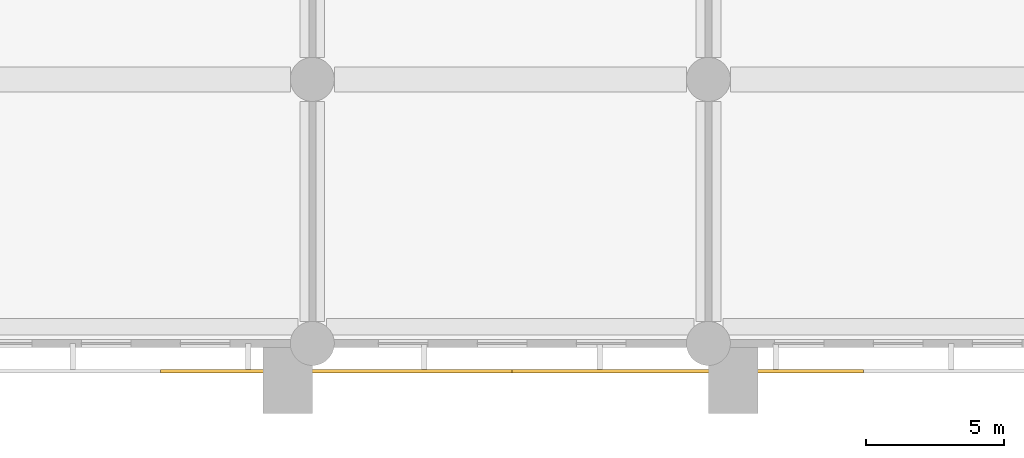
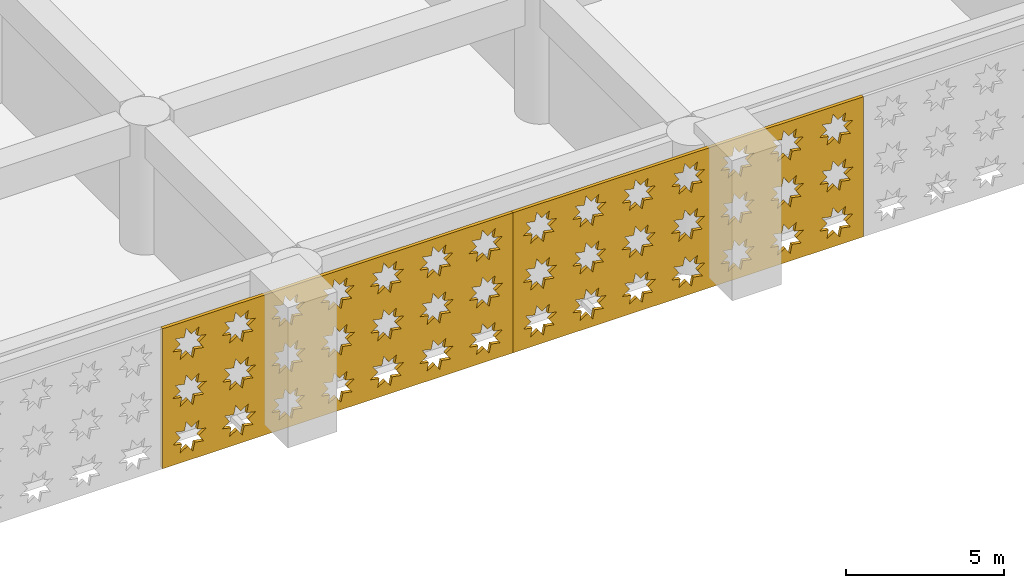
# One storey, part 16 of 30: 2 coverings.
"""IFC4 building model written with IfcOpenShell, lengths in metres."""

from ifc_helpers import new_model, si_unit, direction, frame, origin, place, context, subcontext, project, spatial, polyline, outline, extrude, material, layer, layer_set, type_object, element, save


model = new_model("IFC4")

# Units and contexts
model_context = context("Model", 3, precision=1e-05, world=origin(), true_north=direction((0.0, 1.0)))
body_context = subcontext(model_context, "Body", "Model", "MODEL_VIEW")
ifc_project = project(units=[si_unit("LENGTHUNIT", "METRE"), si_unit("AREAUNIT", "SQUARE_METRE"), si_unit("VOLUMEUNIT", "CUBIC_METRE"), si_unit("PLANEANGLEUNIT", "RADIAN"), si_unit("MASSUNIT", "GRAM", prefix="KILO")], contexts=[model_context])

# Site, building, storey
site_placement = place(None, origin())
site = spatial("IfcSite", under=ifc_project, at=site_placement, CompositionType="ELEMENT")
building_placement = place(site_placement, origin())
building = spatial("IfcBuilding", under=site, at=building_placement, Name="Saffron Iwan Residences", CompositionType="ELEMENT")
storey_placement = place(building_placement, frame((0.0, 0.0, 7.800048828125)))
storey = spatial("IfcBuildingStorey", under=building, at=storey_placement, Name="L01", CompositionType="ELEMENT", Elevation=7.800048828125)

# Coverings
ifc_material = material(Name="Terracotta screen, precast concrete C40/50", Category="masonry")
ifc_layer = layer(ifc_material, 0.1201171875)
ifc_layer_set = layer_set([ifc_layer], Name="Terracotta screen, precast concrete C40/50")
covering_type = type_object("IfcCoveringType", Name="PODIUM SCREEN GIRIH", PredefinedType="CLADDING", material=ifc_layer_set)
covering_1_placement = place(storey_placement, frame((37.6826171875, -0.949951171875, -0.400146484375), z_axis=(0.0, -1.0, 0.0), x_axis=(1.0, 0.0, 0.0)))
element("IfcCovering", 1, at=covering_1_placement, inside=storey, type_object=covering_type, Name="SCREEN girih terracotta L01 F0.3", PredefinedType="CLADDING", context=body_context, shape_type="SweptSolid", body=[
    extrude(outline(polyline([(0.0, 0.0), (12.777587890625, 0.0), (12.777587890625, 5.39990234375), (0.0, 5.39990234375), (0.0, 0.0)]), holes=[polyline([(1.5966796875, 1.02099609375), (1.271484375, 1.0888671875), (1.333251953125, 1.41552734375), (1.05517578125, 1.2333984375), (0.867919921875, 1.508056640625), (0.7998046875, 1.1826171875), (0.47314453125, 1.244384765625), (0.6552734375, 0.96630859375), (0.380615234375, 0.779052734375), (0.7060546875, 0.711181640625), (0.644287109375, 0.384521484375), (0.92236328125, 0.56640625), (1.109619140625, 0.2919921875), (1.177490234375, 0.6171875), (1.50439453125, 0.555419921875), (1.322265625, 0.833740234375), (1.5966796875, 1.02099609375)]), polyline([(1.5966796875, 2.821044921875), (1.271484375, 2.888916015625), (1.333251953125, 3.215576171875), (1.05517578125, 3.033447265625), (0.867919921875, 3.30810546875), (0.7998046875, 2.982666015625), (0.47314453125, 3.04443359375), (0.6552734375, 2.766357421875), (0.380615234375, 2.5791015625), (0.7060546875, 2.510986328125), (0.644287109375, 2.1845703125), (0.92236328125, 2.366455078125), (1.109619140625, 2.091796875), (1.177490234375, 2.417236328125), (1.50439453125, 2.35546875), (1.322265625, 2.6337890625), (1.5966796875, 2.821044921875)]), polyline([(1.5966796875, 4.62109375), (1.271484375, 4.68896484375), (1.333251953125, 5.015380859375), (1.05517578125, 4.83349609375), (0.867919921875, 5.108154296875), (0.7998046875, 4.78271484375), (0.47314453125, 4.844482421875), (0.6552734375, 4.56640625), (0.380615234375, 4.37890625), (0.7060546875, 4.31103515625), (0.644287109375, 3.984619140625), (0.92236328125, 4.16650390625), (1.109619140625, 3.891845703125), (1.177490234375, 4.21728515625), (1.50439453125, 4.155517578125), (1.322265625, 4.43359375), (1.5966796875, 4.62109375)]), polyline([(3.396728515625, 1.02099609375), (3.0712890625, 1.0888671875), (3.13330078125, 1.41552734375), (2.85498046875, 1.2333984375), (2.667724609375, 1.508056640625), (2.599853515625, 1.1826171875), (2.273193359375, 1.244384765625), (2.455322265625, 0.96630859375), (2.1806640625, 0.779052734375), (2.506103515625, 0.711181640625), (2.4443359375, 0.384521484375), (2.722412109375, 0.56640625), (2.90966796875, 0.2919921875), (2.9775390625, 0.6171875), (3.30419921875, 0.555419921875), (3.122314453125, 0.833740234375), (3.396728515625, 1.02099609375)]), polyline([(3.396728515625, 2.821044921875), (3.0712890625, 2.888916015625), (3.13330078125, 3.215576171875), (2.85498046875, 3.033447265625), (2.667724609375, 3.30810546875), (2.599853515625, 2.982666015625), (2.273193359375, 3.04443359375), (2.455322265625, 2.766357421875), (2.1806640625, 2.5791015625), (2.506103515625, 2.510986328125), (2.4443359375, 2.1845703125), (2.722412109375, 2.366455078125), (2.90966796875, 2.091796875), (2.9775390625, 2.417236328125), (3.30419921875, 2.35546875), (3.122314453125, 2.6337890625), (3.396728515625, 2.821044921875)]), polyline([(3.396728515625, 4.62109375), (3.0712890625, 4.68896484375), (3.13330078125, 5.015380859375), (2.85498046875, 4.83349609375), (2.667724609375, 5.108154296875), (2.599853515625, 4.78271484375), (2.273193359375, 4.844482421875), (2.455322265625, 4.56640625), (2.1806640625, 4.37890625), (2.506103515625, 4.31103515625), (2.4443359375, 3.984619140625), (2.722412109375, 4.16650390625), (2.90966796875, 3.891845703125), (2.9775390625, 4.21728515625), (3.30419921875, 4.155517578125), (3.122314453125, 4.43359375), (3.396728515625, 4.62109375)]), polyline([(5.19677734375, 1.02099609375), (4.871337890625, 1.0888671875), (4.93310546875, 1.41552734375), (4.655029296875, 1.2333984375), (4.4677734375, 1.508056640625), (4.39990234375, 1.1826171875), (4.0732421875, 1.244384765625), (4.25537109375, 0.96630859375), (3.980712890625, 0.779052734375), (4.30615234375, 0.711181640625), (4.244384765625, 0.384521484375), (4.5224609375, 0.56640625), (4.709716796875, 0.2919921875), (4.777587890625, 0.6171875), (5.104248046875, 0.555419921875), (4.922119140625, 0.833740234375), (5.19677734375, 1.02099609375)]), polyline([(5.19677734375, 2.821044921875), (4.871337890625, 2.888916015625), (4.93310546875, 3.215576171875), (4.655029296875, 3.033447265625), (4.4677734375, 3.30810546875), (4.39990234375, 2.982666015625), (4.0732421875, 3.04443359375), (4.25537109375, 2.766357421875), (3.980712890625, 2.5791015625), (4.30615234375, 2.510986328125), (4.244384765625, 2.1845703125), (4.5224609375, 2.366455078125), (4.709716796875, 2.091796875), (4.777587890625, 2.417236328125), (5.104248046875, 2.35546875), (4.922119140625, 2.6337890625), (5.19677734375, 2.821044921875)]), polyline([(5.19677734375, 4.62109375), (4.871337890625, 4.68896484375), (4.93310546875, 5.015380859375), (4.655029296875, 4.83349609375), (4.4677734375, 5.108154296875), (4.39990234375, 4.78271484375), (4.0732421875, 4.844482421875), (4.25537109375, 4.56640625), (3.980712890625, 4.37890625), (4.30615234375, 4.31103515625), (4.244384765625, 3.984619140625), (4.5224609375, 4.16650390625), (4.709716796875, 3.891845703125), (4.777587890625, 4.21728515625), (5.104248046875, 4.155517578125), (4.922119140625, 4.43359375), (5.19677734375, 4.62109375)]), polyline([(6.996826171875, 1.02099609375), (6.67138671875, 1.0888671875), (6.733154296875, 1.41552734375), (6.455078125, 1.2333984375), (6.267822265625, 1.508056640625), (6.199951171875, 1.1826171875), (5.873291015625, 1.244384765625), (6.055419921875, 0.96630859375), (5.78076171875, 0.779052734375), (6.106201171875, 0.711181640625), (6.044189453125, 0.384521484375), (6.322509765625, 0.56640625), (6.509765625, 0.2919921875), (6.57763671875, 0.6171875), (6.904296875, 0.555419921875), (6.72216796875, 0.833740234375), (6.996826171875, 1.02099609375)]), polyline([(6.996826171875, 2.821044921875), (6.67138671875, 2.888916015625), (6.733154296875, 3.215576171875), (6.455078125, 3.033447265625), (6.267822265625, 3.30810546875), (6.199951171875, 2.982666015625), (5.873291015625, 3.04443359375), (6.055419921875, 2.766357421875), (5.78076171875, 2.5791015625), (6.106201171875, 2.510986328125), (6.044189453125, 2.1845703125), (6.322509765625, 2.366455078125), (6.509765625, 2.091796875), (6.57763671875, 2.417236328125), (6.904296875, 2.35546875), (6.72216796875, 2.6337890625), (6.996826171875, 2.821044921875)]), polyline([(6.996826171875, 4.62109375), (6.67138671875, 4.68896484375), (6.733154296875, 5.015380859375), (6.455078125, 4.83349609375), (6.267822265625, 5.108154296875), (6.199951171875, 4.78271484375), (5.873291015625, 4.844482421875), (6.055419921875, 4.56640625), (5.78076171875, 4.37890625), (6.106201171875, 4.31103515625), (6.044189453125, 3.984619140625), (6.322509765625, 4.16650390625), (6.509765625, 3.891845703125), (6.57763671875, 4.21728515625), (6.904296875, 4.155517578125), (6.72216796875, 4.43359375), (6.996826171875, 4.62109375)]), polyline([(8.796875, 1.02099609375), (8.471435546875, 1.0888671875), (8.533203125, 1.41552734375), (8.255126953125, 1.2333984375), (8.06787109375, 1.508056640625), (8.0, 1.1826171875), (7.673095703125, 1.244384765625), (7.855224609375, 0.96630859375), (7.580810546875, 0.779052734375), (7.906005859375, 0.711181640625), (7.84423828125, 0.384521484375), (8.122314453125, 0.56640625), (8.309814453125, 0.2919921875), (8.377685546875, 0.6171875), (8.704345703125, 0.555419921875), (8.522216796875, 0.833740234375), (8.796875, 1.02099609375)]), polyline([(8.796875, 2.821044921875), (8.471435546875, 2.888916015625), (8.533203125, 3.215576171875), (8.255126953125, 3.033447265625), (8.06787109375, 3.30810546875), (8.0, 2.982666015625), (7.673095703125, 3.04443359375), (7.855224609375, 2.766357421875), (7.580810546875, 2.5791015625), (7.906005859375, 2.510986328125), (7.84423828125, 2.1845703125), (8.122314453125, 2.366455078125), (8.309814453125, 2.091796875), (8.377685546875, 2.417236328125), (8.704345703125, 2.35546875), (8.522216796875, 2.6337890625), (8.796875, 2.821044921875)]), polyline([(8.796875, 4.62109375), (8.471435546875, 4.68896484375), (8.533203125, 5.015380859375), (8.255126953125, 4.83349609375), (8.06787109375, 5.108154296875), (8.0, 4.78271484375), (7.673095703125, 4.844482421875), (7.855224609375, 4.56640625), (7.580810546875, 4.37890625), (7.906005859375, 4.31103515625), (7.84423828125, 3.984619140625), (8.122314453125, 4.16650390625), (8.309814453125, 3.891845703125), (8.377685546875, 4.21728515625), (8.704345703125, 4.155517578125), (8.522216796875, 4.43359375), (8.796875, 4.62109375)]), polyline([(10.5966796875, 1.02099609375), (10.271484375, 1.0888671875), (10.333251953125, 1.41552734375), (10.05517578125, 1.2333984375), (9.867919921875, 1.508056640625), (9.7998046875, 1.1826171875), (9.47314453125, 1.244384765625), (9.6552734375, 0.96630859375), (9.380615234375, 0.779052734375), (9.7060546875, 0.711181640625), (9.644287109375, 0.384521484375), (9.92236328125, 0.56640625), (10.109619140625, 0.2919921875), (10.177490234375, 0.6171875), (10.50439453125, 0.555419921875), (10.322265625, 0.833740234375), (10.5966796875, 1.02099609375)]), polyline([(10.5966796875, 2.821044921875), (10.271484375, 2.888916015625), (10.333251953125, 3.215576171875), (10.05517578125, 3.033447265625), (9.867919921875, 3.30810546875), (9.7998046875, 2.982666015625), (9.47314453125, 3.04443359375), (9.6552734375, 2.766357421875), (9.380615234375, 2.5791015625), (9.7060546875, 2.510986328125), (9.644287109375, 2.1845703125), (9.92236328125, 2.366455078125), (10.109619140625, 2.091796875), (10.177490234375, 2.417236328125), (10.50439453125, 2.35546875), (10.322265625, 2.6337890625), (10.5966796875, 2.821044921875)]), polyline([(10.5966796875, 4.62109375), (10.271484375, 4.68896484375), (10.333251953125, 5.015380859375), (10.05517578125, 4.83349609375), (9.867919921875, 5.108154296875), (9.7998046875, 4.78271484375), (9.47314453125, 4.844482421875), (9.6552734375, 4.56640625), (9.380615234375, 4.37890625), (9.7060546875, 4.31103515625), (9.644287109375, 3.984619140625), (9.92236328125, 4.16650390625), (10.109619140625, 3.891845703125), (10.177490234375, 4.21728515625), (10.50439453125, 4.155517578125), (10.322265625, 4.43359375), (10.5966796875, 4.62109375)]), polyline([(12.396728515625, 1.02099609375), (12.0712890625, 1.0888671875), (12.13330078125, 1.41552734375), (11.85498046875, 1.2333984375), (11.667724609375, 1.508056640625), (11.599853515625, 1.1826171875), (11.273193359375, 1.244384765625), (11.455322265625, 0.96630859375), (11.1806640625, 0.779052734375), (11.506103515625, 0.711181640625), (11.4443359375, 0.384521484375), (11.722412109375, 0.56640625), (11.90966796875, 0.2919921875), (11.9775390625, 0.6171875), (12.30419921875, 0.555419921875), (12.122314453125, 0.833740234375), (12.396728515625, 1.02099609375)]), polyline([(12.396728515625, 2.821044921875), (12.0712890625, 2.888916015625), (12.13330078125, 3.215576171875), (11.85498046875, 3.033447265625), (11.667724609375, 3.30810546875), (11.599853515625, 2.982666015625), (11.273193359375, 3.04443359375), (11.455322265625, 2.766357421875), (11.1806640625, 2.5791015625), (11.506103515625, 2.510986328125), (11.4443359375, 2.1845703125), (11.722412109375, 2.366455078125), (11.90966796875, 2.091796875), (11.9775390625, 2.417236328125), (12.30419921875, 2.35546875), (12.122314453125, 2.6337890625), (12.396728515625, 2.821044921875)]), polyline([(12.396728515625, 4.62109375), (12.0712890625, 4.68896484375), (12.13330078125, 5.015380859375), (11.85498046875, 4.83349609375), (11.667724609375, 5.108154296875), (11.599853515625, 4.78271484375), (11.273193359375, 4.844482421875), (11.455322265625, 4.56640625), (11.1806640625, 4.37890625), (11.506103515625, 4.31103515625), (11.4443359375, 3.984619140625), (11.722412109375, 4.16650390625), (11.90966796875, 3.891845703125), (11.9775390625, 4.21728515625), (12.30419921875, 4.155517578125), (12.122314453125, 4.43359375), (12.396728515625, 4.62109375)])]), origin(), (0.0, 0.0, 1.0), 0.1201171875),
])
covering_2_placement = place(storey_placement, frame((50.4599609375, -0.949951171875, -0.400146484375), z_axis=(0.0, -1.0, 0.0), x_axis=(1.0, 0.0, 0.0)))
element("IfcCovering", 2, at=covering_2_placement, inside=storey, type_object=covering_type, Name="SCREEN girih terracotta L01 F0.4", PredefinedType="CLADDING", context=body_context, shape_type="SweptSolid", body=[
    extrude(outline(polyline([(0.0, 0.0), (12.777587890625, 0.0), (12.777587890625, 5.39990234375), (0.0, 5.39990234375), (0.0, 0.0)]), holes=[polyline([(1.5966796875, 1.02099609375), (1.271484375, 1.0888671875), (1.333251953125, 1.41552734375), (1.05517578125, 1.2333984375), (0.867919921875, 1.508056640625), (0.7998046875, 1.1826171875), (0.47314453125, 1.244384765625), (0.6552734375, 0.96630859375), (0.380615234375, 0.779052734375), (0.7060546875, 0.711181640625), (0.644287109375, 0.384521484375), (0.92236328125, 0.56640625), (1.109619140625, 0.2919921875), (1.177490234375, 0.6171875), (1.50439453125, 0.555419921875), (1.322265625, 0.833740234375), (1.5966796875, 1.02099609375)]), polyline([(1.5966796875, 2.821044921875), (1.271484375, 2.888916015625), (1.333251953125, 3.215576171875), (1.05517578125, 3.033447265625), (0.867919921875, 3.30810546875), (0.7998046875, 2.982666015625), (0.47314453125, 3.04443359375), (0.6552734375, 2.766357421875), (0.380615234375, 2.5791015625), (0.7060546875, 2.510986328125), (0.644287109375, 2.1845703125), (0.92236328125, 2.366455078125), (1.109619140625, 2.091796875), (1.177490234375, 2.417236328125), (1.50439453125, 2.35546875), (1.322265625, 2.6337890625), (1.5966796875, 2.821044921875)]), polyline([(1.5966796875, 4.62109375), (1.271484375, 4.68896484375), (1.333251953125, 5.015380859375), (1.05517578125, 4.83349609375), (0.867919921875, 5.108154296875), (0.7998046875, 4.78271484375), (0.47314453125, 4.844482421875), (0.6552734375, 4.56640625), (0.380615234375, 4.37890625), (0.7060546875, 4.31103515625), (0.644287109375, 3.984619140625), (0.92236328125, 4.16650390625), (1.109619140625, 3.891845703125), (1.177490234375, 4.21728515625), (1.50439453125, 4.155517578125), (1.322265625, 4.43359375), (1.5966796875, 4.62109375)]), polyline([(3.396728515625, 1.02099609375), (3.0712890625, 1.0888671875), (3.13330078125, 1.41552734375), (2.85498046875, 1.2333984375), (2.667724609375, 1.508056640625), (2.599853515625, 1.1826171875), (2.273193359375, 1.244384765625), (2.455322265625, 0.96630859375), (2.1806640625, 0.779052734375), (2.506103515625, 0.711181640625), (2.4443359375, 0.384521484375), (2.722412109375, 0.56640625), (2.90966796875, 0.2919921875), (2.9775390625, 0.6171875), (3.30419921875, 0.555419921875), (3.122314453125, 0.833740234375), (3.396728515625, 1.02099609375)]), polyline([(3.396728515625, 2.821044921875), (3.0712890625, 2.888916015625), (3.13330078125, 3.215576171875), (2.85498046875, 3.033447265625), (2.667724609375, 3.30810546875), (2.599853515625, 2.982666015625), (2.273193359375, 3.04443359375), (2.455322265625, 2.766357421875), (2.1806640625, 2.5791015625), (2.506103515625, 2.510986328125), (2.4443359375, 2.1845703125), (2.722412109375, 2.366455078125), (2.90966796875, 2.091796875), (2.9775390625, 2.417236328125), (3.30419921875, 2.35546875), (3.122314453125, 2.6337890625), (3.396728515625, 2.821044921875)]), polyline([(3.396728515625, 4.62109375), (3.0712890625, 4.68896484375), (3.13330078125, 5.015380859375), (2.85498046875, 4.83349609375), (2.667724609375, 5.108154296875), (2.599853515625, 4.78271484375), (2.273193359375, 4.844482421875), (2.455322265625, 4.56640625), (2.1806640625, 4.37890625), (2.506103515625, 4.31103515625), (2.4443359375, 3.984619140625), (2.722412109375, 4.16650390625), (2.90966796875, 3.891845703125), (2.9775390625, 4.21728515625), (3.30419921875, 4.155517578125), (3.122314453125, 4.43359375), (3.396728515625, 4.62109375)]), polyline([(5.19677734375, 1.02099609375), (4.871337890625, 1.0888671875), (4.93310546875, 1.41552734375), (4.655029296875, 1.2333984375), (4.4677734375, 1.508056640625), (4.39990234375, 1.1826171875), (4.0732421875, 1.244384765625), (4.25537109375, 0.96630859375), (3.980712890625, 0.779052734375), (4.30615234375, 0.711181640625), (4.244384765625, 0.384521484375), (4.5224609375, 0.56640625), (4.709716796875, 0.2919921875), (4.777587890625, 0.6171875), (5.104248046875, 0.555419921875), (4.922119140625, 0.833740234375), (5.19677734375, 1.02099609375)]), polyline([(5.19677734375, 2.821044921875), (4.871337890625, 2.888916015625), (4.93310546875, 3.215576171875), (4.655029296875, 3.033447265625), (4.4677734375, 3.30810546875), (4.39990234375, 2.982666015625), (4.0732421875, 3.04443359375), (4.25537109375, 2.766357421875), (3.980712890625, 2.5791015625), (4.30615234375, 2.510986328125), (4.244384765625, 2.1845703125), (4.5224609375, 2.366455078125), (4.709716796875, 2.091796875), (4.777587890625, 2.417236328125), (5.104248046875, 2.35546875), (4.922119140625, 2.6337890625), (5.19677734375, 2.821044921875)]), polyline([(5.19677734375, 4.62109375), (4.871337890625, 4.68896484375), (4.93310546875, 5.015380859375), (4.655029296875, 4.83349609375), (4.4677734375, 5.108154296875), (4.39990234375, 4.78271484375), (4.0732421875, 4.844482421875), (4.25537109375, 4.56640625), (3.980712890625, 4.37890625), (4.30615234375, 4.31103515625), (4.244384765625, 3.984619140625), (4.5224609375, 4.16650390625), (4.709716796875, 3.891845703125), (4.777587890625, 4.21728515625), (5.104248046875, 4.155517578125), (4.922119140625, 4.43359375), (5.19677734375, 4.62109375)]), polyline([(6.996826171875, 1.02099609375), (6.67138671875, 1.0888671875), (6.733154296875, 1.41552734375), (6.455078125, 1.2333984375), (6.267822265625, 1.508056640625), (6.199951171875, 1.1826171875), (5.873291015625, 1.244384765625), (6.055419921875, 0.96630859375), (5.78076171875, 0.779052734375), (6.106201171875, 0.711181640625), (6.044189453125, 0.384521484375), (6.322509765625, 0.56640625), (6.509765625, 0.2919921875), (6.57763671875, 0.6171875), (6.904296875, 0.555419921875), (6.72216796875, 0.833740234375), (6.996826171875, 1.02099609375)]), polyline([(6.996826171875, 2.821044921875), (6.67138671875, 2.888916015625), (6.733154296875, 3.215576171875), (6.455078125, 3.033447265625), (6.267822265625, 3.30810546875), (6.199951171875, 2.982666015625), (5.873291015625, 3.04443359375), (6.055419921875, 2.766357421875), (5.78076171875, 2.5791015625), (6.106201171875, 2.510986328125), (6.044189453125, 2.1845703125), (6.322509765625, 2.366455078125), (6.509765625, 2.091796875), (6.57763671875, 2.417236328125), (6.904296875, 2.35546875), (6.72216796875, 2.6337890625), (6.996826171875, 2.821044921875)]), polyline([(6.996826171875, 4.62109375), (6.67138671875, 4.68896484375), (6.733154296875, 5.015380859375), (6.455078125, 4.83349609375), (6.267822265625, 5.108154296875), (6.199951171875, 4.78271484375), (5.873291015625, 4.844482421875), (6.055419921875, 4.56640625), (5.78076171875, 4.37890625), (6.106201171875, 4.31103515625), (6.044189453125, 3.984619140625), (6.322509765625, 4.16650390625), (6.509765625, 3.891845703125), (6.57763671875, 4.21728515625), (6.904296875, 4.155517578125), (6.72216796875, 4.43359375), (6.996826171875, 4.62109375)]), polyline([(8.796875, 1.02099609375), (8.471435546875, 1.0888671875), (8.533203125, 1.41552734375), (8.255126953125, 1.2333984375), (8.06787109375, 1.508056640625), (8.0, 1.1826171875), (7.673095703125, 1.244384765625), (7.855224609375, 0.96630859375), (7.580810546875, 0.779052734375), (7.906005859375, 0.711181640625), (7.84423828125, 0.384521484375), (8.122314453125, 0.56640625), (8.309814453125, 0.2919921875), (8.377685546875, 0.6171875), (8.704345703125, 0.555419921875), (8.522216796875, 0.833740234375), (8.796875, 1.02099609375)]), polyline([(8.796875, 2.821044921875), (8.471435546875, 2.888916015625), (8.533203125, 3.215576171875), (8.255126953125, 3.033447265625), (8.06787109375, 3.30810546875), (8.0, 2.982666015625), (7.673095703125, 3.04443359375), (7.855224609375, 2.766357421875), (7.580810546875, 2.5791015625), (7.906005859375, 2.510986328125), (7.84423828125, 2.1845703125), (8.122314453125, 2.366455078125), (8.309814453125, 2.091796875), (8.377685546875, 2.417236328125), (8.704345703125, 2.35546875), (8.522216796875, 2.6337890625), (8.796875, 2.821044921875)]), polyline([(8.796875, 4.62109375), (8.471435546875, 4.68896484375), (8.533203125, 5.015380859375), (8.255126953125, 4.83349609375), (8.06787109375, 5.108154296875), (8.0, 4.78271484375), (7.673095703125, 4.844482421875), (7.855224609375, 4.56640625), (7.580810546875, 4.37890625), (7.906005859375, 4.31103515625), (7.84423828125, 3.984619140625), (8.122314453125, 4.16650390625), (8.309814453125, 3.891845703125), (8.377685546875, 4.21728515625), (8.704345703125, 4.155517578125), (8.522216796875, 4.43359375), (8.796875, 4.62109375)]), polyline([(10.5966796875, 1.02099609375), (10.271484375, 1.0888671875), (10.333251953125, 1.41552734375), (10.05517578125, 1.2333984375), (9.867919921875, 1.508056640625), (9.7998046875, 1.1826171875), (9.47314453125, 1.244384765625), (9.6552734375, 0.96630859375), (9.380615234375, 0.779052734375), (9.7060546875, 0.711181640625), (9.644287109375, 0.384521484375), (9.92236328125, 0.56640625), (10.109619140625, 0.2919921875), (10.177490234375, 0.6171875), (10.50439453125, 0.555419921875), (10.322265625, 0.833740234375), (10.5966796875, 1.02099609375)]), polyline([(10.5966796875, 2.821044921875), (10.271484375, 2.888916015625), (10.333251953125, 3.215576171875), (10.05517578125, 3.033447265625), (9.867919921875, 3.30810546875), (9.7998046875, 2.982666015625), (9.47314453125, 3.04443359375), (9.6552734375, 2.766357421875), (9.380615234375, 2.5791015625), (9.7060546875, 2.510986328125), (9.644287109375, 2.1845703125), (9.92236328125, 2.366455078125), (10.109619140625, 2.091796875), (10.177490234375, 2.417236328125), (10.50439453125, 2.35546875), (10.322265625, 2.6337890625), (10.5966796875, 2.821044921875)]), polyline([(10.5966796875, 4.62109375), (10.271484375, 4.68896484375), (10.333251953125, 5.015380859375), (10.05517578125, 4.83349609375), (9.867919921875, 5.108154296875), (9.7998046875, 4.78271484375), (9.47314453125, 4.844482421875), (9.6552734375, 4.56640625), (9.380615234375, 4.37890625), (9.7060546875, 4.31103515625), (9.644287109375, 3.984619140625), (9.92236328125, 4.16650390625), (10.109619140625, 3.891845703125), (10.177490234375, 4.21728515625), (10.50439453125, 4.155517578125), (10.322265625, 4.43359375), (10.5966796875, 4.62109375)]), polyline([(12.396728515625, 1.02099609375), (12.0712890625, 1.0888671875), (12.13330078125, 1.41552734375), (11.85498046875, 1.2333984375), (11.667724609375, 1.508056640625), (11.599853515625, 1.1826171875), (11.273193359375, 1.244384765625), (11.455322265625, 0.96630859375), (11.1806640625, 0.779052734375), (11.506103515625, 0.711181640625), (11.4443359375, 0.384521484375), (11.722412109375, 0.56640625), (11.90966796875, 0.2919921875), (11.9775390625, 0.6171875), (12.30419921875, 0.555419921875), (12.122314453125, 0.833740234375), (12.396728515625, 1.02099609375)]), polyline([(12.396728515625, 2.821044921875), (12.0712890625, 2.888916015625), (12.13330078125, 3.215576171875), (11.85498046875, 3.033447265625), (11.667724609375, 3.30810546875), (11.599853515625, 2.982666015625), (11.273193359375, 3.04443359375), (11.455322265625, 2.766357421875), (11.1806640625, 2.5791015625), (11.506103515625, 2.510986328125), (11.4443359375, 2.1845703125), (11.722412109375, 2.366455078125), (11.90966796875, 2.091796875), (11.9775390625, 2.417236328125), (12.30419921875, 2.35546875), (12.122314453125, 2.6337890625), (12.396728515625, 2.821044921875)]), polyline([(12.396728515625, 4.62109375), (12.0712890625, 4.68896484375), (12.13330078125, 5.015380859375), (11.85498046875, 4.83349609375), (11.667724609375, 5.108154296875), (11.599853515625, 4.78271484375), (11.273193359375, 4.844482421875), (11.455322265625, 4.56640625), (11.1806640625, 4.37890625), (11.506103515625, 4.31103515625), (11.4443359375, 3.984619140625), (11.722412109375, 4.16650390625), (11.90966796875, 3.891845703125), (11.9775390625, 4.21728515625), (12.30419921875, 4.155517578125), (12.122314453125, 4.43359375), (12.396728515625, 4.62109375)])]), origin(), (0.0, 0.0, 1.0), 0.1201171875),
])

save(model, "model.ifc")
